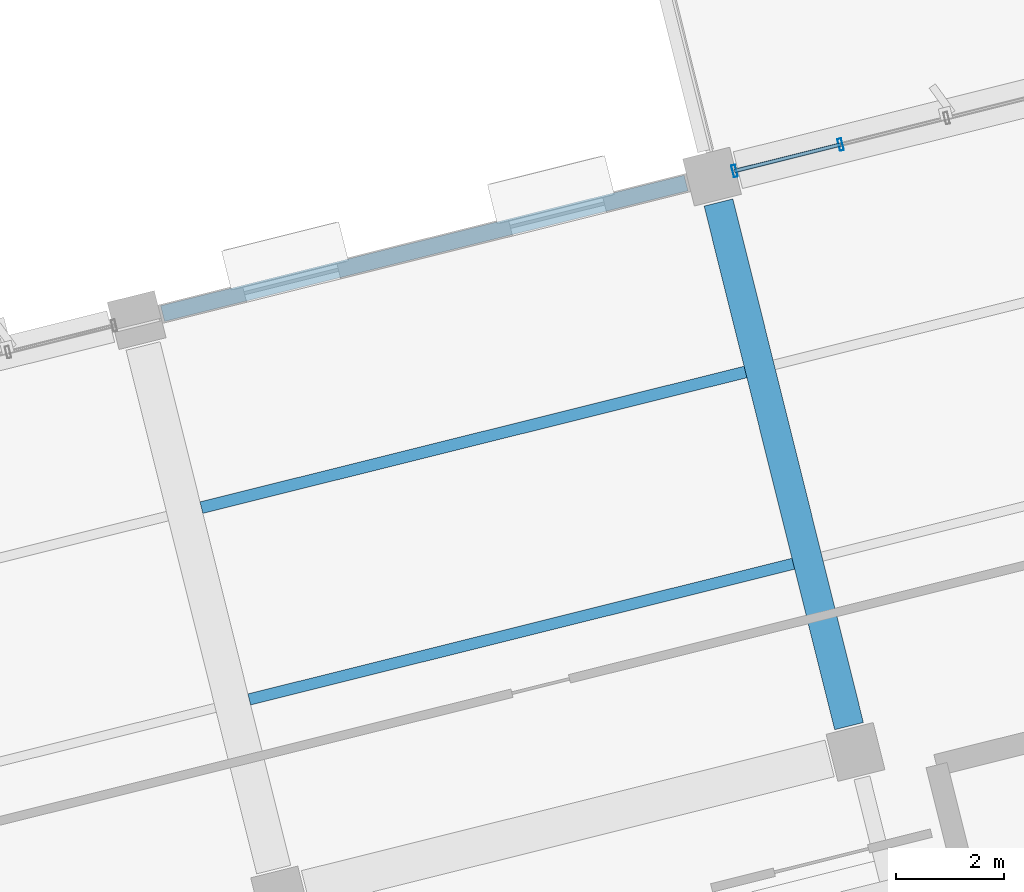
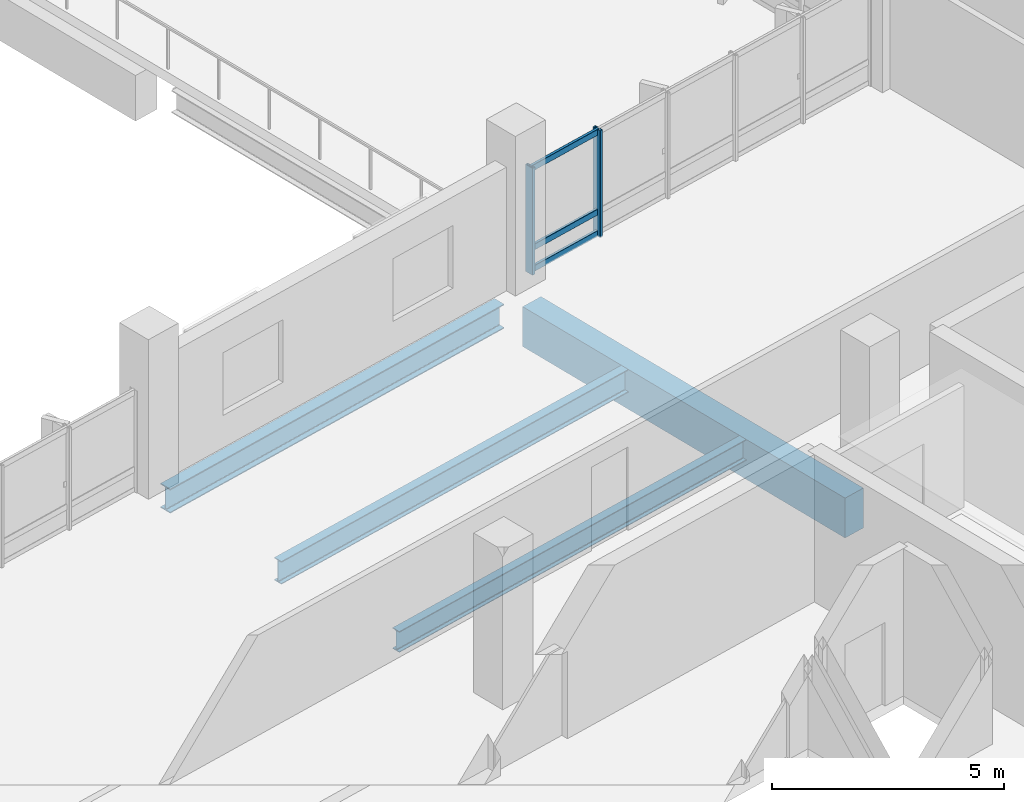
# One storey, part 5 of 42: 5 members, 4 beams, 1 element without a shape of its own.
"""IFC4 building model written with IfcOpenShell, lengths in metres."""

import ifcopenshell
import ifcopenshell.guid

model = None  # the IFC model being written
_history = None  # IfcOwnerHistory: only IFC2X3 demands one
_inside = {}  # id of a spatial element -> (the spatial element, [elements in it])
_under = {}  # id of a project, library or spatial element -> (it, [spatial elements below it])
_declared = {}  # id of a project -> (the project, [libraries it declares])
_typed = {}  # id of a type object -> (the type object, [elements of that type])
_made_of = {}  # id of a material, layer set ... -> (it, [elements and type objects made of it])


def new_model(schema):
    """Start an empty IFC model of exactly this schema.

    Asked for "IFC4X3", IfcOpenShell would pick the latest addendum, in which some entities
    have other attributes; the version numbers below select the first issue.
    IFC2X3 requires an IfcOwnerHistory on every rooted entity: one is made here for all.
    """
    global model, _history
    if schema == "IFC4X3":
        model = ifcopenshell.file(schema_version=(4, 3, 0, 0))
    else:
        model = ifcopenshell.file(schema=schema)
    _inside.clear()
    _under.clear()
    _declared.clear()
    _typed.clear()
    _made_of.clear()
    _history = None
    if model.schema == "IFC2X3":
        org = make("IfcOrganization", Name="unknown")
        user = make(
            "IfcPersonAndOrganization",
            ThePerson=make("IfcPerson", FamilyName="unknown"),
            TheOrganization=org,
        )
        app = make(
            "IfcApplication",
            ApplicationDeveloper=org,
            Version="unknown",
            ApplicationFullName="unknown",
            ApplicationIdentifier="unknown",
        )
        _history = make(
            "IfcOwnerHistory",
            OwningUser=user,
            OwningApplication=app,
            ChangeAction="ADDED",
            CreationDate=0,
        )
    return model


def make(cls, **values):
    """One entity of the class cls with the attributes given. An attribute that is None is left unset."""
    return model.create_entity(
        cls, **{name: value for name, value in values.items() if value is not None}
    )


def rooted(cls, **values):
    """An entity with a GlobalId (a new one), such as an element, a storey or a relation."""
    return make(cls, GlobalId=ifcopenshell.guid.new(), OwnerHistory=_history, **values)


def si_unit(unit_type, name, prefix=None):
    """IfcSIUnit, for example si_unit("LENGTHUNIT", "METRE", prefix="MILLI")."""
    return make("IfcSIUnit", UnitType=unit_type, Prefix=prefix, Name=name)


def assignment(units):
    """IfcUnitAssignment: the units of a project."""
    return None if units is None else make("IfcUnitAssignment", Units=units)


def point(xyz):
    """IfcCartesianPoint."""
    return None if xyz is None else make("IfcCartesianPoint", Coordinates=xyz)


def direction(xyz):
    """IfcDirection."""
    return None if xyz is None else make("IfcDirection", DirectionRatios=xyz)


def frame(location, z_axis=None, x_axis=None):
    """IfcAxis2Placement3D, a coordinate frame: its origin and axes. An axis left out is left unset."""
    return make(
        "IfcAxis2Placement3D",
        Location=point(location),
        Axis=direction(z_axis),
        RefDirection=direction(x_axis),
    )


def frame_2d(location, x_axis=None):
    """IfcAxis2Placement2D, a coordinate frame in the plane: its origin and x axis."""
    return make(
        "IfcAxis2Placement2D", Location=point(location), RefDirection=direction(x_axis)
    )


def origin():
    """The frame at (0, 0, 0) with its axes left unset."""
    return frame((0.0, 0.0, 0.0))


def origin_2d():
    """The frame at (0, 0) in the plane with its x axis left unset."""
    return frame_2d((0.0, 0.0))


def place(relative_to, where):
    """IfcLocalPlacement: puts the frame where relative to a parent placement (None: the world)."""
    return make(
        "IfcLocalPlacement", PlacementRelTo=relative_to, RelativePlacement=where
    )


def context(
    kind, dimensions, precision=None, world=None, true_north=None, identifier=None
):
    """IfcGeometricRepresentationContext, for example the 3D "Model" context."""
    return make(
        "IfcGeometricRepresentationContext",
        ContextIdentifier=identifier,
        ContextType=kind,
        CoordinateSpaceDimension=dimensions,
        Precision=precision,
        WorldCoordinateSystem=world,
        TrueNorth=true_north,
    )


def subcontext(parent, identifier, kind, view, scale=None):
    """IfcGeometricRepresentationSubContext, for example "Body" below "Model"."""
    return make(
        "IfcGeometricRepresentationSubContext",
        ContextIdentifier=identifier,
        ContextType=kind,
        ParentContext=parent,
        TargetScale=scale,
        TargetView=view,
    )


def project(units=None, contexts=None):
    """IfcProject with its units and contexts."""
    return rooted(
        "IfcProject",
        Name="project",
        RepresentationContexts=contexts,
        UnitsInContext=assignment(units),
    )


def spatial(cls, under=None, at=None, **own):
    """A site, building, storey or space (cls), placed at a placement, below another one or the project."""
    s = rooted(cls, ObjectPlacement=at, **own)
    if under is not None:
        _under.setdefault(under.id(), (under, []))[1].append(s)
    return s


def profile(cls, at=None, kind="AREA", **sizes):
    """A parametric profile (cls). Its sizes go by their IFC names, for example OverallWidth=200.0."""
    return make(cls, ProfileType=kind, Position=at, **sizes)


def rectangle(**sizes):
    """IfcRectangleProfileDef."""
    return profile("IfcRectangleProfileDef", **sizes)


def hollow_rectangle(**sizes):
    """IfcRectangleHollowProfileDef."""
    return profile("IfcRectangleHollowProfileDef", **sizes)


def i_section(**sizes):
    """IfcIShapeProfileDef."""
    return profile("IfcIShapeProfileDef", **sizes)


def extrude(swept, where, along, depth):
    """IfcExtrudedAreaSolid: the profile swept, set in the frame where, extruded along a direction by depth."""
    return make(
        "IfcExtrudedAreaSolid",
        SweptArea=swept,
        Position=where,
        ExtrudedDirection=direction(along),
        Depth=depth,
    )


def shape(context_of_items, identifier, shape_type, items):
    """IfcShapeRepresentation: the items that make up one representation, for example the "Body"."""
    return make(
        "IfcShapeRepresentation",
        ContextOfItems=context_of_items,
        RepresentationIdentifier=identifier,
        RepresentationType=shape_type,
        Items=items,
    )


def material(Name=None, Category=None):
    """IfcMaterial."""
    return make("IfcMaterial", Name=Name, Category=Category)


def layer(
    of_material, thickness, ventilated=None, Name=None, Category=None, Priority=None
):
    """IfcMaterialLayer: one layer of a wall or slab, of a material (None: an air gap)."""
    return make(
        "IfcMaterialLayer",
        Material=of_material,
        LayerThickness=thickness,
        IsVentilated=ventilated,
        Name=Name,
        Category=Category,
        Priority=Priority,
    )


def layer_set(layers, Name=None):
    """IfcMaterialLayerSet."""
    return make("IfcMaterialLayerSet", MaterialLayers=layers, LayerSetName=Name)


def material_profile(
    of_material, cross_section, Name=None, Category=None, Priority=None
):
    """IfcMaterialProfile: a cross section and its material."""
    return make(
        "IfcMaterialProfile",
        Name=Name,
        Material=of_material,
        Profile=cross_section,
        Priority=Priority,
        Category=Category,
    )


def profile_set(profiles, Name=None, composite=None):
    """IfcMaterialProfileSet."""
    return make(
        "IfcMaterialProfileSet",
        Name=Name,
        MaterialProfiles=profiles,
        CompositeProfile=composite,
    )


def made_of(thing, what):
    """Note that an element or type object is made of a material, layer set ...; save() writes the relation."""
    if what is not None:
        _made_of.setdefault(what.id(), (what, []))[1].append(thing)
    return thing


def type_object(cls, material=None, **own):
    """A type object (cls), such as IfcWallType, which elements share."""
    return made_of(rooted(cls, **own), material)


def element(
    cls,
    number,
    at=None,
    inside=None,
    cuts=None,
    type_object=None,
    material=None,
    context=None,
    identifier="Body",
    shape_type=None,
    held_by="IfcProductDefinitionShape",
    body=None,
    shapes=None,
    **own,
):
    """One element of the class cls, such as IfcWall. Its Tag is "e" and its number.

    at: its placement. inside: the storey or other place that contains it. cuts: it is an
    opening in that element (IfcRelVoidsElement). A single representation is given by context,
    identifier, shape_type and body (its items); several are given by shapes. held_by: the class
    of the entity that holds the representations. save() writes the other relations.
    """
    e = rooted(cls, Tag="e%d" % number, ObjectPlacement=at, **own)
    if body is not None:
        shapes = [shape(context, identifier, shape_type, body)]
    if shapes is not None:
        e.Representation = make(held_by, Representations=shapes)
    if inside is not None:
        _inside.setdefault(inside.id(), (inside, []))[1].append(e)
    if cuts is not None:
        rooted(
            "IfcRelVoidsElement", RelatingBuildingElement=cuts, RelatedOpeningElement=e
        )
    if type_object is not None:
        _typed.setdefault(type_object.id(), (type_object, []))[1].append(e)
    return made_of(e, material)


def aggregate(whole, parts):
    """IfcRelAggregates: a whole, such as a stair, and the parts it consists of."""
    return rooted("IfcRelAggregates", RelatingObject=whole, RelatedObjects=parts)


def save(model, path):
    """Write the relations noted so far, then the file.

    IfcRelAggregates (storeys below a building ...), IfcRelContainedInSpatialStructure (elements
    in a storey), IfcRelDefinesByType, IfcRelAssociatesMaterial and IfcRelDeclares: one each for
    every whole, place, type object, material and project.
    """
    for whole, parts in _under.values():
        aggregate(whole, parts)
    for where, things in _inside.values():
        rooted(
            "IfcRelContainedInSpatialStructure",
            RelatedElements=things,
            RelatingStructure=where,
        )
    for kind, things in _typed.values():
        rooted("IfcRelDefinesByType", RelatedObjects=things, RelatingType=kind)
    for what, things in _made_of.values():
        rooted("IfcRelAssociatesMaterial", RelatedObjects=things, RelatingMaterial=what)
    for by, libraries in _declared.values():
        rooted("IfcRelDeclares", RelatingContext=by, RelatedDefinitions=libraries)
    model.write(path)


model = new_model("IFC4")

# Units and contexts
model_context = context("Model", 3, precision=1e-05, world=origin(), true_north=direction((0.0, 1.0)))
body_context = subcontext(model_context, "Body", "Model", "MODEL_VIEW")
ifc_project = project(units=[si_unit("LENGTHUNIT", "METRE"), si_unit("AREAUNIT", "SQUARE_METRE"), si_unit("VOLUMEUNIT", "CUBIC_METRE"), si_unit("PLANEANGLEUNIT", "RADIAN"), si_unit("MASSUNIT", "GRAM", prefix="KILO")], contexts=[model_context])

# Site, building, storey
site_placement = place(None, origin())
site = spatial("IfcSite", under=ifc_project, at=site_placement, CompositionType="ELEMENT")
building_placement = place(site_placement, origin())
building = spatial("IfcBuilding", under=site, at=building_placement, Name="Khorjan Park Terminus", CompositionType="ELEMENT")
storey_placement = place(building_placement, frame((0.0, 0.0, 20.4)))
storey = spatial("IfcBuildingStorey", under=building, at=storey_placement, Name="L04", CompositionType="ELEMENT", Elevation=20.4)

# Beams
ifc_material_1 = material(Name="Steel S355", Category="steel")
ifc_material_profile_1 = material_profile(ifc_material_1, i_section(OverallWidth=0.3, OverallDepth=0.64, WebThickness=0.0135, FlangeThickness=0.026, FilletRadius=0.027, at=origin_2d()), Name="HEA 650")
ifc_profile_set_1 = profile_set([ifc_material_profile_1], Name="Steel S355")
beam_type_1 = type_object("IfcBeamType", Name="BM-HEA650", PredefinedType="BEAM", material=ifc_profile_set_1)
beam_1_placement = place(storey_placement, frame((182.5045, 28.7885, -0.66), z_axis=(0.970294509049, 0.241926777576, 0.0), x_axis=(-0.241926777576, 0.970294509049, 0.0)))
element("IfcBeam", 1, at=beam_1_placement, inside=storey, type_object=beam_type_1, Name="Primary skew-grid floor girder SB-A65 (L04)", PredefinedType="BEAM", context=body_context, shape_type="SweptSolid", body=[
    extrude(i_section(OverallWidth=0.3, OverallDepth=0.64, WebThickness=0.0135, FlangeThickness=0.026, FilletRadius=0.027, at=origin_2d()), origin(), (0.0, 0.0, 1.0), 10.0101),
])
ifc_material_2 = material(Name="Concrete C40/50", Category="concrete")
ifc_material_profile_2 = material_profile(ifc_material_2, rectangle(XDim=0.55, YDim=1.05, at=origin_2d()), Name="RC 550x1050")
ifc_profile_set_2 = profile_set([ifc_material_profile_2], Name="Concrete C40/50")
beam_type_2 = type_object("IfcBeamType", Name="BM-RC550x1050", PredefinedType="BEAM", material=ifc_profile_set_2)
beam_2_placement = place(storey_placement, frame((195.2389, 21.137, -0.865), z_axis=(-0.241929122643, 0.970293924343, 0.0), x_axis=(-0.970293924343, -0.241929122643, 0.0)))
element("IfcBeam", 2, at=beam_2_placement, inside=storey, type_object=beam_type_2, Name="Primary skew-grid floor girder GB-105 (L04)", PredefinedType="BEAM", context=body_context, shape_type="SweptSolid", body=[
    extrude(rectangle(XDim=0.55, YDim=1.05, at=origin_2d()), origin(), (0.0, 0.0, 1.0), 10.01),
])
ifc_material_profile_3 = material_profile(ifc_material_1, i_section(OverallWidth=0.21, OverallDepth=0.55, WebThickness=0.0111, FlangeThickness=0.0172, FilletRadius=0.024, at=origin_2d()), Name="IPE 550")
ifc_profile_set_3 = profile_set([ifc_material_profile_3], Name="Steel S355")
beam_type_3 = type_object("IfcBeamType", Name="JS-IPE550", PredefinedType="JOIST", material=ifc_profile_set_3)
beam_3_placement = place(storey_placement, frame((184.1137, 21.6319, -0.615), z_axis=(0.970295023791, 0.241924713097, 0.0), x_axis=(-0.241924713097, 0.970295023791, 0.0)))
element("IfcBeam", 3, at=beam_3_placement, inside=storey, type_object=beam_type_3, Name="Secondary composite floor joist SJ-55 (L04)", PredefinedType="JOIST", context=body_context, shape_type="SweptSolid", body=[
    extrude(i_section(OverallWidth=0.21, OverallDepth=0.55, WebThickness=0.0111, FlangeThickness=0.0172, FilletRadius=0.024, at=origin_2d()), origin(), (0.0, 0.0, 1.0), 10.3999),
])
ifc_material_profile_4 = material_profile(ifc_material_1, i_section(OverallWidth=0.22, OverallDepth=0.6, WebThickness=0.012, FlangeThickness=0.019, FilletRadius=0.024, at=origin_2d()), Name="IPE 600")
ifc_profile_set_4 = profile_set([ifc_material_profile_4], Name="Steel S355")
beam_type_4 = type_object("IfcBeamType", Name="JS-IPE600", PredefinedType="JOIST", material=ifc_profile_set_4)
beam_4_placement = place(storey_placement, frame((183.2266, 25.1896, -0.64), z_axis=(0.970295586552, 0.241922456002, 0.0), x_axis=(-0.241922456002, 0.970295586552, 0.0)))
element("IfcBeam", 4, at=beam_4_placement, inside=storey, type_object=beam_type_4, Name="Secondary composite floor joist SJ-60 (L04)", PredefinedType="JOIST", context=body_context, shape_type="SweptSolid", body=[
    extrude(i_section(OverallWidth=0.22, OverallDepth=0.6, WebThickness=0.012, FlangeThickness=0.019, FilletRadius=0.024, at=origin_2d()), origin(), (0.0, 0.0, 1.0), 10.4),
])

# Curtain wall, members
ifc_material_3 = material(Name="Anodized Bronze Aluminium", Category="aluminium")
ifc_layer = layer(ifc_material_3, 0.22)
ifc_layer_set = layer_set([ifc_layer], Name="Anodized Bronze Aluminium")
curtain_wall_type = type_object("IfcCurtainWallType", Name="CW-OPS-B", PredefinedType="NOTDEFINED", material=ifc_layer_set)
curtain_wall_placement = place(storey_placement, origin())
curtain_wall = element("IfcCurtainWall", 5, at=curtain_wall_placement, inside=storey, type_object=curtain_wall_type, Name="Unitized curtain wall CW-B (CW-V5-NW2-L04-B01)", PredefinedType="NOTDEFINED")
ifc_material_profile_5 = material_profile(ifc_material_3, hollow_rectangle(XDim=0.075, YDim=0.225, WallThickness=0.005, InnerFilletRadius=0.005, OuterFilletRadius=0.01, at=origin_2d()), Name="ALM 75x225x5")
ifc_profile_set_5 = profile_set([ifc_material_profile_5], Name="Anodized Bronze Aluminium")
member_type_1 = type_object("IfcMemberType", Name="ML-ALM-225", PredefinedType="MULLION", material=ifc_profile_set_5)
member_1_placement = place(storey_placement, frame((195.0822, 31.9245, -0.035), z_axis=(0.0, 0.0, 1.0), x_axis=(-0.970294289952, -0.241927656308, 0.0)))
member_1 = element("IfcMember", 6, at=member_1_placement, type_object=member_type_1, Name="Curtain-wall mullion ML-22 (CW-V5-NW2-L04-B01-4)", PredefinedType="MULLION", context=body_context, shape_type="SweptSolid", body=[
    extrude(hollow_rectangle(XDim=0.075, YDim=0.225, WallThickness=0.005, InnerFilletRadius=0.005, OuterFilletRadius=0.01, at=origin_2d()), origin(), (0.0, 0.0, 1.0), 2.815),
])
member_2_placement = place(storey_placement, frame((193.1143, 31.4338, -0.035), z_axis=(0.0, 0.0, 1.0), x_axis=(-0.970294289952, -0.241927656308, 0.0)))
member_2 = element("IfcMember", 7, at=member_2_placement, type_object=member_type_1, Name="Curtain-wall mullion ML-22 (CW-V5-NW2-L04-B01-5)", PredefinedType="MULLION", context=body_context, shape_type="SweptSolid", body=[
    extrude(hollow_rectangle(XDim=0.075, YDim=0.225, WallThickness=0.005, InnerFilletRadius=0.005, OuterFilletRadius=0.01, at=origin_2d()), origin(), (0.0, 0.0, 1.0), 2.815),
])
ifc_material_profile_6 = material_profile(ifc_material_3, hollow_rectangle(XDim=0.07, YDim=0.16, WallThickness=0.004, InnerFilletRadius=0.004, OuterFilletRadius=0.008, at=origin_2d()), Name="ALT 70x160x4")
ifc_profile_set_6 = profile_set([ifc_material_profile_6], Name="Anodized Bronze Aluminium")
member_type_2 = type_object("IfcMemberType", Name="TR-ALT-160", PredefinedType="USERDEFINED", material=ifc_profile_set_6)
member_3_placement = place(storey_placement, frame((195.0822, 31.9245, 0.04), z_axis=(-0.970290237335, -0.241943909477, 0.0), x_axis=(0.241943909477, -0.970290237335, 0.0)))
member_3 = element("IfcMember", 8, at=member_3_placement, type_object=member_type_2, Name="Curtain-wall transom TR-16 (CW-V5-NW2-L04-B01-4-1)", ObjectType="TRANSOM", PredefinedType="USERDEFINED", context=body_context, shape_type="SweptSolid", body=[
    extrude(hollow_rectangle(XDim=0.07, YDim=0.16, WallThickness=0.004, InnerFilletRadius=0.004, OuterFilletRadius=0.008, at=origin_2d()), origin(), (0.0, 0.0, 1.0), 2.0282),
])
member_4_placement = place(storey_placement, frame((195.0822, 31.9245, 0.604), z_axis=(-0.970290237335, -0.241943909477, 0.0), x_axis=(0.241943909477, -0.970290237335, 0.0)))
member_4 = element("IfcMember", 9, at=member_4_placement, type_object=member_type_2, Name="Curtain-wall transom TR-16 (CW-V5-NW2-L04-B01-4-2)", ObjectType="TRANSOM", PredefinedType="USERDEFINED", context=body_context, shape_type="SweptSolid", body=[
    extrude(hollow_rectangle(XDim=0.07, YDim=0.16, WallThickness=0.004, InnerFilletRadius=0.004, OuterFilletRadius=0.008, at=origin_2d()), origin(), (0.0, 0.0, 1.0), 2.0282),
])
member_5_placement = place(storey_placement, frame((195.0822, 31.9245, 2.705), z_axis=(-0.970290237335, -0.241943909477, 0.0), x_axis=(0.241943909477, -0.970290237335, 0.0)))
member_5 = element("IfcMember", 10, at=member_5_placement, type_object=member_type_2, Name="Curtain-wall transom TR-16 (CW-V5-NW2-L04-B01-4-3)", ObjectType="TRANSOM", PredefinedType="USERDEFINED", context=body_context, shape_type="SweptSolid", body=[
    extrude(hollow_rectangle(XDim=0.07, YDim=0.16, WallThickness=0.004, InnerFilletRadius=0.004, OuterFilletRadius=0.008, at=origin_2d()), origin(), (0.0, 0.0, 1.0), 2.0282),
])
aggregate(curtain_wall, [member_1, member_2, member_3, member_4, member_5])

save(model, "model.ifc")
